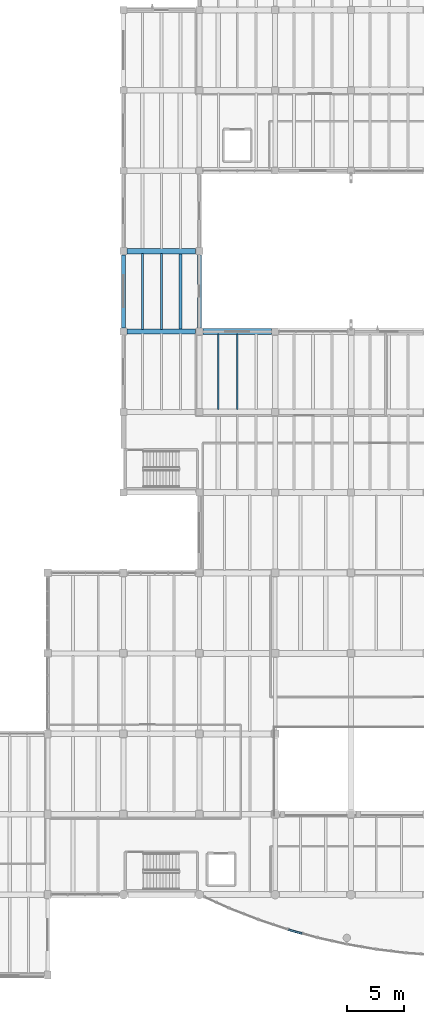
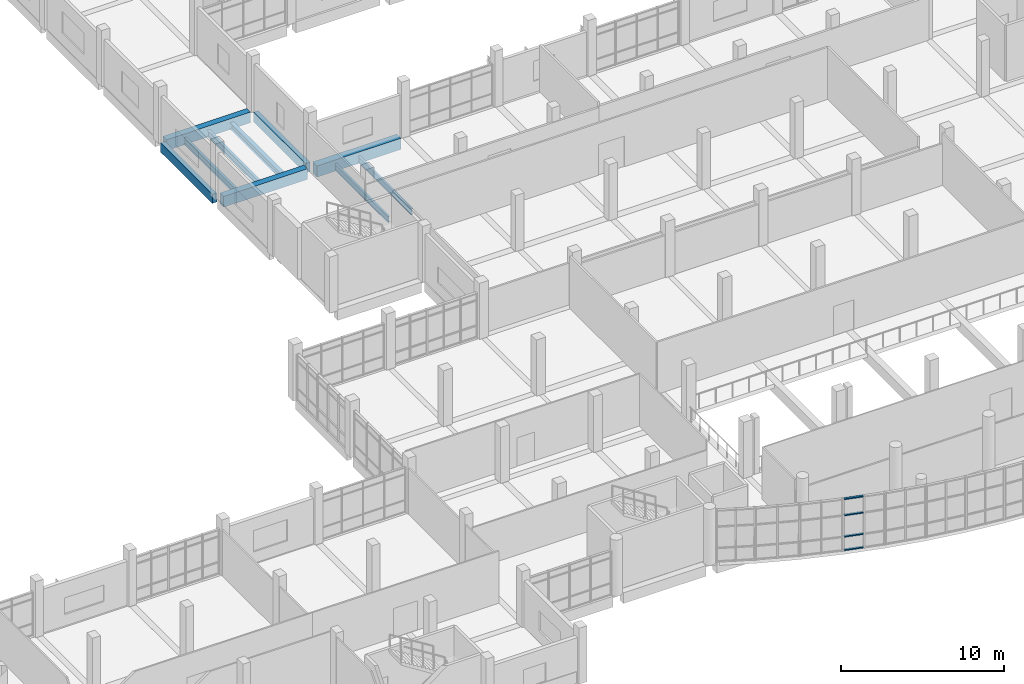
# One storey, part 10 of 68: 10 beams, 4 members, 1 element without a shape of its own.
"""IFC4 building model written with IfcOpenShell, lengths in metres."""

from ifc_helpers import new_model, si_unit, direction, frame, origin, origin_2d, place, context, subcontext, project, spatial, rectangle, i_section, extrude, material, material_profile, profile_set, type_object, element, aggregate, save


model = new_model("IFC4")

# Units and contexts
model_context = context("Model", 3, precision=1e-05, world=origin(), true_north=direction((0.0, 1.0)))
body_context = subcontext(model_context, "Body", "Model", "MODEL_VIEW")
ifc_project = project(units=[si_unit("LENGTHUNIT", "METRE"), si_unit("AREAUNIT", "SQUARE_METRE"), si_unit("VOLUMEUNIT", "CUBIC_METRE"), si_unit("PLANEANGLEUNIT", "RADIAN"), si_unit("MASSUNIT", "GRAM", prefix="KILO")], contexts=[model_context])

# Site, building, storey
site_placement = place(None, origin())
site = spatial("IfcSite", under=ifc_project, at=site_placement, CompositionType="ELEMENT")
building_placement = place(site_placement, origin())
building = spatial("IfcBuilding", under=site, at=building_placement, Name="Ciguamira Faculty of Natural Sciences", CompositionType="ELEMENT")
storey_placement = place(building_placement, frame((0.0, 0.0, 4.199951171875)))
storey = spatial("IfcBuildingStorey", under=building, at=storey_placement, Name="L01", CompositionType="ELEMENT", Elevation=4.199951171875)

# Curtain wall, members
ifc_material_1 = material(Name="Anodized aluminium curtain wall", Category="aluminium")
curtain_wall_type = type_object("IfcCurtainWallType", Name="CurtainWall_CW-03", PredefinedType="USERDEFINED", material=ifc_material_1)
curtain_wall_placement = place(storey_placement, origin())
curtain_wall = element("IfcCurtainWall", 1, at=curtain_wall_placement, inside=storey, type_object=curtain_wall_type, Name="L01 south gallery curved curtain wall 04", ObjectType="UNITISED CURTAIN WALL", PredefinedType="USERDEFINED")
ifc_material_2 = material(Name="Anodized aluminium transom", Category="aluminium")
ifc_material_profile_1 = material_profile(ifc_material_2, rectangle(XDim=0.080078125, YDim=0.159912109375, at=origin_2d()), Name="ALU-TRN-80X160")
ifc_profile_set_1 = profile_set([ifc_material_profile_1], Name="Anodized aluminium transom")
member_type = type_object("IfcMemberType", Name="CWTransom_CWT-03", PredefinedType="USERDEFINED", material=ifc_profile_set_1)
member_1_placement = place(storey_placement, frame((71.677001953125, 6.953125, 0.0400390625), z_axis=(0.963549650457, -0.267529570522, 0.0), x_axis=(0.0, 0.0, 1.0)))
member_1 = element("IfcMember", 2, at=member_1_placement, type_object=member_type, Name="CW-03 transom 1.1", ObjectType="TRANSOM", PredefinedType="USERDEFINED", context=body_context, shape_type="SweptSolid", body=[
    extrude(rectangle(XDim=0.080078125, YDim=0.159912109375, at=origin_2d()), origin(), (0.0, 0.0, 1.0), 1.2119140625),
])
member_2_placement = place(storey_placement, frame((71.677001953125, 6.953125, 1.050048828125), z_axis=(0.963549650457, -0.267529570522, 0.0), x_axis=(0.0, 0.0, 1.0)))
member_2 = element("IfcMember", 3, at=member_2_placement, type_object=member_type, Name="CW-03 transom 1.2", ObjectType="TRANSOM", PredefinedType="USERDEFINED", context=body_context, shape_type="SweptSolid", body=[
    extrude(rectangle(XDim=0.080078125, YDim=0.159912109375, at=origin_2d()), origin(), (0.0, 0.0, 1.0), 1.2119140625),
])
member_3_placement = place(storey_placement, frame((71.677001953125, 6.953125, 2.650146484375), z_axis=(0.963549650457, -0.267529570522, 0.0), x_axis=(0.0, 0.0, 1.0)))
member_3 = element("IfcMember", 4, at=member_3_placement, type_object=member_type, Name="CW-03 transom 1.3", ObjectType="TRANSOM", PredefinedType="USERDEFINED", context=body_context, shape_type="SweptSolid", body=[
    extrude(rectangle(XDim=0.080078125, YDim=0.159912109375, at=origin_2d()), origin(), (0.0, 0.0, 1.0), 1.2119140625),
])
member_4_placement = place(storey_placement, frame((71.677001953125, 6.953125, 3.860107421875), z_axis=(0.963549650457, -0.267529570522, 0.0), x_axis=(0.0, 0.0, 1.0)))
member_4 = element("IfcMember", 5, at=member_4_placement, type_object=member_type, Name="CW-03 transom 1.4", ObjectType="TRANSOM", PredefinedType="USERDEFINED", context=body_context, shape_type="SweptSolid", body=[
    extrude(rectangle(XDim=0.080078125, YDim=0.159912109375, at=origin_2d()), origin(), (0.0, 0.0, 1.0), 1.2119140625),
])
aggregate(curtain_wall, [member_1, member_2, member_3, member_4])

# Beams
ifc_material_3 = material(Name="Concrete C40/50", Category="concrete")
ifc_material_profile_2 = material_profile(ifc_material_3, rectangle(XDim=0.449951171875, YDim=0.800048828125, at=origin_2d()), Name="RC-BM-450X800")
ifc_profile_set_2 = profile_set([ifc_material_profile_2], Name="Concrete C40/50")
beam_type_1 = type_object("IfcBeamType", Name="RCBeam_BG-05_RC-BM-450X800", PredefinedType="BEAM", material=ifc_profile_set_2)
for number, where, z_axis, x_axis, name in (
    (6, (57.625, 59.0, -0.39990234375), (1.0, 0.0, 0.0), (0.0, 1.0, 0.0), "L01 RC girder EW-0475"),
    (7, (57.625, 66.0, -0.39990234375), (1.0, 0.0, 0.0), (0.0, 1.0, 0.0), "L01 RC girder EW-0484"),
):
    element("IfcBeam", number, at=place(storey_placement, frame(where, z_axis=z_axis, x_axis=x_axis)), inside=storey, type_object=beam_type_1, Name=name, PredefinedType="BEAM", context=body_context, shape_type="SweptSolid", body=[
        extrude(rectangle(XDim=0.449951171875, YDim=0.800048828125, at=origin_2d()), origin(), (0.0, 0.0, 1.0), 5.949951171875),
    ])
ifc_material_4 = material(Name="Precast concrete C40/50", Category="concrete")
ifc_material_profile_3 = material_profile(ifc_material_4, rectangle(XDim=0.320068359375, YDim=0.679931640625, at=origin_2d()), Name="RC-SP-320X680")
ifc_profile_set_3 = profile_set([ifc_material_profile_3], Name="Precast concrete C40/50")
beam_type_2 = type_object("IfcBeamType", Name="RCBeam_SP-02_RC-SP-320X680", PredefinedType="SPANDREL", material=ifc_profile_set_3)
beam_1_placement = place(storey_placement, frame((57.300048828125, 59.324951171875, -0.33984375), z_axis=(0.0, 1.0, 0.0), x_axis=(-1.0, 0.0, 0.0)))
element("IfcBeam", 8, at=beam_1_placement, inside=storey, type_object=beam_type_2, Name="L01 girder NS-0575", PredefinedType="SPANDREL", context=body_context, shape_type="SweptSolid", body=[
    extrude(rectangle(XDim=0.320068359375, YDim=0.679931640625, at=origin_2d()), origin(), (0.0, 0.0, 1.0), 6.35009765625),
])
ifc_material_profile_4 = material_profile(ifc_material_4, rectangle(XDim=0.340087890625, YDim=0.719970703125, at=origin_2d()), Name="RC-SP-340X720")
ifc_profile_set_4 = profile_set([ifc_material_profile_4], Name="Precast concrete C40/50")
beam_type_3 = type_object("IfcBeamType", Name="RCBeam_SP-03_RC-SP-340X720", PredefinedType="SPANDREL", material=ifc_profile_set_4)
beam_2_placement = place(storey_placement, frame((63.89990234375, 59.324951171875, -0.35986328125), z_axis=(0.0, 1.0, 0.0), x_axis=(-1.0, 0.0, 0.0)))
element("IfcBeam", 9, at=beam_2_placement, inside=storey, type_object=beam_type_3, Name="L01 girder NS-0587", PredefinedType="SPANDREL", context=body_context, shape_type="SweptSolid", body=[
    extrude(rectangle(XDim=0.340087890625, YDim=0.719970703125, at=origin_2d()), origin(), (0.0, 0.0, 1.0), 6.35009765625),
])
ifc_material_profile_5 = material_profile(ifc_material_3, rectangle(XDim=0.52001953125, YDim=0.840087890625, at=origin_2d()), Name="RC-TB-520X840")
ifc_profile_set_5 = profile_set([ifc_material_profile_5], Name="Concrete C40/50")
beam_type_4 = type_object("IfcBeamType", Name="RCBeam_TB-02_RC-TB-520X840", PredefinedType="T_BEAM", material=ifc_profile_set_5)
beam_3_placement = place(storey_placement, frame((64.22509765625, 59.0, -0.419921875), z_axis=(1.0, 0.0, 0.0), x_axis=(0.0, 1.0, 0.0)))
element("IfcBeam", 10, at=beam_3_placement, inside=storey, type_object=beam_type_4, Name="L01 RC girder EW-0476", PredefinedType="T_BEAM", context=body_context, shape_type="SweptSolid", body=[
    extrude(rectangle(XDim=0.52001953125, YDim=0.840087890625, at=origin_2d()), origin(), (0.0, 0.0, 1.0), 5.949951171875),
])
ifc_material_5 = material(Name="Steel ASTM A992 Grade 50", Category="steel")
ifc_material_profile_6 = material_profile(ifc_material_5, i_section(OverallWidth=0.15234375, OverallDepth=0.449462890625, WebThickness=0.007568359375, FlangeThickness=0.0107421875, at=origin_2d()), Name="W18X35")
ifc_profile_set_6 = profile_set([ifc_material_profile_6], Name="Steel ASTM A992 Grade 50")
beam_type_5 = type_object("IfcBeamType", Name="SteelJoist_SJ-21_W18X35", PredefinedType="JOIST", material=ifc_profile_set_6)
beam_4_placement = place(storey_placement, frame((65.550048828125, 52.219970703125, -0.504638671875), z_axis=(0.0, 1.0, 0.0), x_axis=(-1.0, 0.0, 0.0)))
element("IfcBeam", 11, at=beam_4_placement, inside=storey, type_object=beam_type_5, Name="L01 composite steel joist 00426", PredefinedType="JOIST", context=body_context, shape_type="SweptSolid", body=[
    extrude(i_section(OverallWidth=0.15234375, OverallDepth=0.449462890625, WebThickness=0.007568359375, FlangeThickness=0.0107421875, at=origin_2d()), origin(), (0.0, 0.0, 1.0), 6.56005859375),
])
ifc_material_profile_7 = material_profile(ifc_material_5, i_section(OverallWidth=0.15283203125, OverallDepth=0.45458984375, WebThickness=0.008056640625, FlangeThickness=0.013427734375, at=origin_2d()), Name="W18X40")
ifc_profile_set_7 = profile_set([ifc_material_profile_7], Name="Steel ASTM A992 Grade 50")
beam_type_6 = type_object("IfcBeamType", Name="SteelJoist_SJ-22_W18X40", PredefinedType="JOIST", material=ifc_profile_set_7)
beam_5_placement = place(storey_placement, frame((67.199951171875, 52.219970703125, -0.50732421875), z_axis=(0.0, 1.0, 0.0), x_axis=(-1.0, 0.0, 0.0)))
element("IfcBeam", 12, at=beam_5_placement, inside=storey, type_object=beam_type_6, Name="L01 composite steel joist 00427", PredefinedType="JOIST", context=body_context, shape_type="SweptSolid", body=[
    extrude(i_section(OverallWidth=0.15283203125, OverallDepth=0.45458984375, WebThickness=0.008056640625, FlangeThickness=0.013427734375, at=origin_2d()), origin(), (0.0, 0.0, 1.0), 6.56005859375),
])
ifc_material_profile_8 = material_profile(ifc_material_5, i_section(OverallWidth=0.1904296875, OverallDepth=0.457275390625, WebThickness=0.009033203125, FlangeThickness=0.014404296875, at=origin_2d()), Name="W18X50")
ifc_profile_set_8 = profile_set([ifc_material_profile_8], Name="Steel ASTM A992 Grade 50")
beam_type_7 = type_object("IfcBeamType", Name="SteelJoist_SJ-23_W18X50", PredefinedType="JOIST", material=ifc_profile_set_8)
beam_6_placement = place(storey_placement, frame((58.949951171875, 59.18505859375, -0.508544921875), z_axis=(0.0, 1.0, 0.0), x_axis=(-1.0, 0.0, 0.0)))
element("IfcBeam", 13, at=beam_6_placement, inside=storey, type_object=beam_type_7, Name="L01 composite steel joist 00396", PredefinedType="JOIST", context=body_context, shape_type="SweptSolid", body=[
    extrude(i_section(OverallWidth=0.1904296875, OverallDepth=0.457275390625, WebThickness=0.009033203125, FlangeThickness=0.014404296875, at=origin_2d()), origin(), (0.0, 0.0, 1.0), 6.6298828125),
])
ifc_material_profile_9 = material_profile(ifc_material_5, i_section(OverallWidth=0.19287109375, OverallDepth=0.46728515625, WebThickness=0.011474609375, FlangeThickness=0.01904296875, at=origin_2d()), Name="W18X65")
ifc_profile_set_9 = profile_set([ifc_material_profile_9], Name="Steel ASTM A992 Grade 50")
beam_type_8 = type_object("IfcBeamType", Name="SteelJoist_SJ-24_W18X65", PredefinedType="JOIST", material=ifc_profile_set_9)
beam_7_placement = place(storey_placement, frame((60.60009765625, 59.18505859375, -0.513671875), z_axis=(0.0, 1.0, 0.0), x_axis=(-1.0, 0.0, 0.0)))
element("IfcBeam", 14, at=beam_7_placement, inside=storey, type_object=beam_type_8, Name="L01 composite steel joist 00397", PredefinedType="JOIST", context=body_context, shape_type="SweptSolid", body=[
    extrude(i_section(OverallWidth=0.19287109375, OverallDepth=0.46728515625, WebThickness=0.011474609375, FlangeThickness=0.01904296875, at=origin_2d()), origin(), (0.0, 0.0, 1.0), 6.6298828125),
])
ifc_material_profile_10 = material_profile(ifc_material_5, i_section(OverallWidth=0.279296875, OverallDepth=0.462158203125, WebThickness=0.0107421875, FlangeThickness=0.017333984375, at=origin_2d()), Name="W18X76")
ifc_profile_set_10 = profile_set([ifc_material_profile_10], Name="Steel ASTM A992 Grade 50")
beam_type_9 = type_object("IfcBeamType", Name="SteelJoist_SJ-25_W18X76", PredefinedType="JOIST", material=ifc_profile_set_10)
beam_8_placement = place(storey_placement, frame((62.25, 59.18505859375, -0.510986328125), z_axis=(0.0, 1.0, 0.0), x_axis=(-1.0, 0.0, 0.0)))
element("IfcBeam", 15, at=beam_8_placement, inside=storey, type_object=beam_type_9, Name="L01 composite steel joist 00398", PredefinedType="JOIST", context=body_context, shape_type="SweptSolid", body=[
    extrude(i_section(OverallWidth=0.279296875, OverallDepth=0.462158203125, WebThickness=0.0107421875, FlangeThickness=0.017333984375, at=origin_2d()), origin(), (0.0, 0.0, 1.0), 6.6298828125),
])

save(model, "model.ifc")
